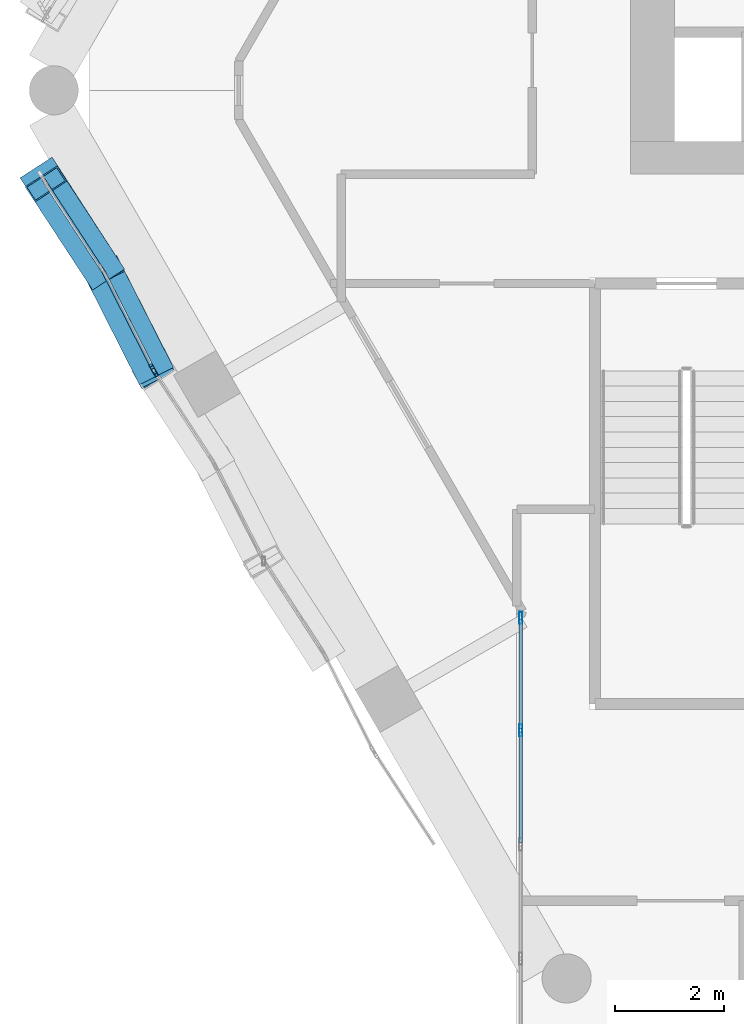
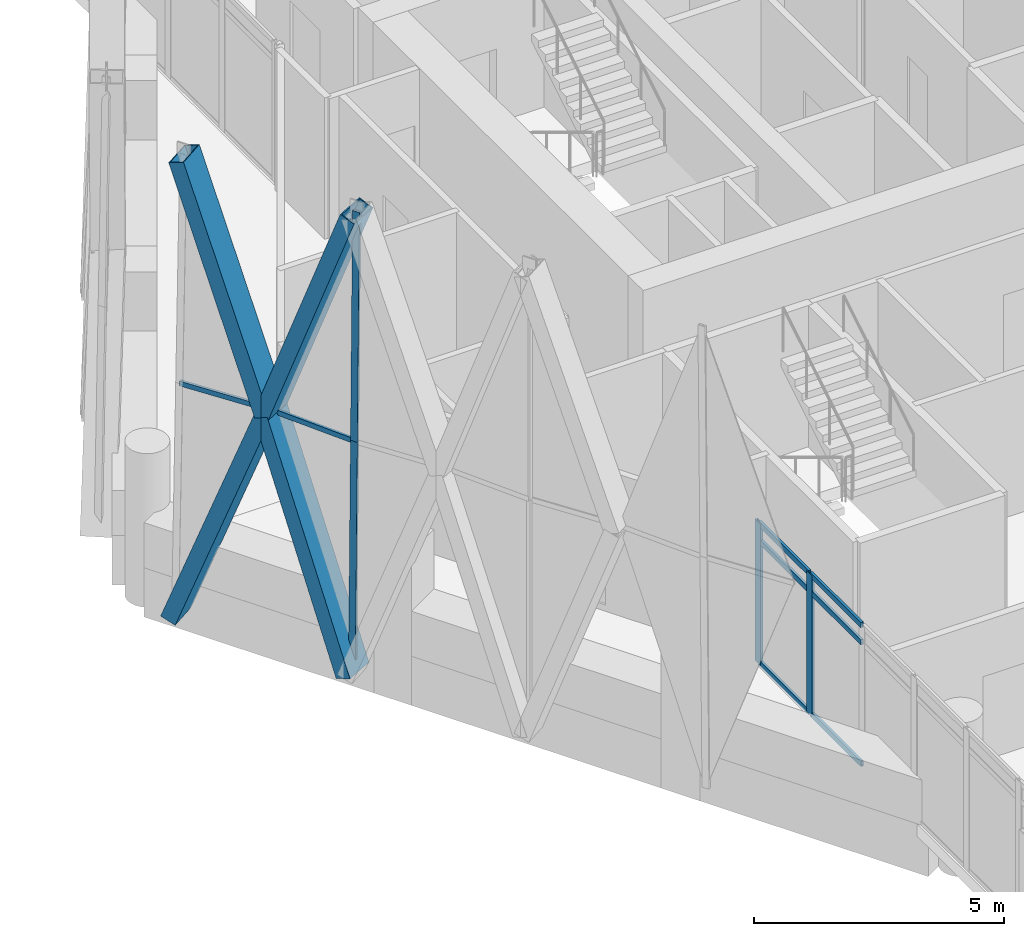
# One storey, part 11 of 37: 16 members, 3 elements without a shape of their own.
"""IFC4 building model written with IfcOpenShell, lengths in metres."""

from ifc_helpers import new_model, si_unit, direction, frame, origin, origin_2d, place, context, subcontext, project, spatial, hollow_rectangle, extrude, material, material_profile, profile_set, type_object, element, aggregate, save


model = new_model("IFC4")

# Units and contexts
model_context = context("Model", 3, precision=1e-05, world=origin(), true_north=direction((0.0, 1.0)))
body_context = subcontext(model_context, "Body", "Model", "MODEL_VIEW")
ifc_project = project(units=[si_unit("LENGTHUNIT", "METRE"), si_unit("AREAUNIT", "SQUARE_METRE"), si_unit("VOLUMEUNIT", "CUBIC_METRE"), si_unit("PLANEANGLEUNIT", "RADIAN"), si_unit("MASSUNIT", "GRAM", prefix="KILO")], contexts=[model_context])

# Site, building, storey
site_placement = place(None, origin())
site = spatial("IfcSite", under=ifc_project, at=site_placement, CompositionType="ELEMENT")
building_placement = place(site_placement, origin())
building = spatial("IfcBuilding", under=site, at=building_placement, Name="Ostrander Bayou Hotel Tower", CompositionType="ELEMENT")
storey_placement = place(building_placement, frame((0.0, 0.0, 225.75)))
storey = spatial("IfcBuildingStorey", under=building, at=storey_placement, Name="L56", CompositionType="ELEMENT", Elevation=225.75)

# Curtain wall, members
ifc_material_1 = material(Name="Aluminium and clear glass", Category="aluminium")
curtain_wall_type_1 = type_object("IfcCurtainWallType", Name="CW-BAR glazed wall", PredefinedType="NOTDEFINED", material=ifc_material_1)
curtain_wall_1_placement = place(storey_placement, origin())
curtain_wall_1 = element("IfcCurtainWall", 1, at=curtain_wall_1_placement, inside=storey, type_object=curtain_wall_type_1, Name="CW-BAR L56:SB5S:E", PredefinedType="NOTDEFINED")
ifc_material_2 = material(Name="Aluminium", Category="aluminium")
ifc_material_profile_1 = material_profile(ifc_material_2, hollow_rectangle(XDim=0.06005859375, YDim=0.219970703125, WallThickness=0.00390625, at=origin_2d()))
ifc_profile_set_1 = profile_set([ifc_material_profile_1], Name="Aluminium")
member_type_1 = type_object("IfcMemberType", Name="CW-BR mullion 60 x 220 mm", PredefinedType="MULLION", material=ifc_profile_set_1)
member_1_placement = place(storey_placement, frame((-10.51220703125, -9.822265625, 0.0), z_axis=(0.0, 0.0, 1.0), x_axis=(1.0, 0.0, 0.0)))
member_1 = element("IfcMember", 2, at=member_1_placement, type_object=member_type_1, Name="CW-BAR mullion 1", PredefinedType="MULLION", context=body_context, shape_type="SweptSolid", body=[
    extrude(hollow_rectangle(XDim=0.06005859375, YDim=0.219970703125, WallThickness=0.00390625, at=origin_2d()), origin(), (0.0, 0.0, 1.0), 3.449951171875),
])
member_2_placement = place(storey_placement, frame((-10.51220703125, -11.88232421875, 0.0), z_axis=(0.0, 0.0, 1.0), x_axis=(1.0, 0.0, 0.0)))
member_2 = element("IfcMember", 3, at=member_2_placement, type_object=member_type_1, Name="CW-BAR mullion 2", PredefinedType="MULLION", context=body_context, shape_type="SweptSolid", body=[
    extrude(hollow_rectangle(XDim=0.06005859375, YDim=0.219970703125, WallThickness=0.00390625, at=origin_2d()), origin(), (0.0, 0.0, 1.0), 3.449951171875),
])
ifc_material_3 = material(Name="Aluminium", Category="aluminium")
ifc_material_profile_2 = material_profile(ifc_material_3, hollow_rectangle(XDim=0.06005859375, YDim=0.1298828125, WallThickness=0.00390625, at=origin_2d()))
ifc_profile_set_2 = profile_set([ifc_material_profile_2], Name="Aluminium")
member_type_2 = type_object("IfcMemberType", Name="CW-BR transom 60 x 130 mm", PredefinedType="USERDEFINED", material=ifc_profile_set_2)
member_3_placement = place(storey_placement, frame((-10.51220703125, -9.852294921875, 0.030029296875), z_axis=(0.0, -1.0, 0.0), x_axis=(1.0, 0.0, 0.0)))
member_3 = element("IfcMember", 4, at=member_3_placement, type_object=member_type_2, Name="CW-BAR transom 1.1", ObjectType="TRANSOM", PredefinedType="USERDEFINED", context=body_context, shape_type="SweptSolid", body=[
    extrude(hollow_rectangle(XDim=0.06005859375, YDim=0.1298828125, WallThickness=0.00390625, at=origin_2d()), origin(), (0.0, 0.0, 1.0), 2.0),
])
member_4_placement = place(storey_placement, frame((-10.51220703125, -9.852294921875, 3.0), z_axis=(0.0, -1.0, 0.0), x_axis=(1.0, 0.0, 0.0)))
member_4 = element("IfcMember", 5, at=member_4_placement, type_object=member_type_2, Name="CW-BAR transom 1.2", ObjectType="TRANSOM", PredefinedType="USERDEFINED", context=body_context, shape_type="SweptSolid", body=[
    extrude(hollow_rectangle(XDim=0.06005859375, YDim=0.1298828125, WallThickness=0.00390625, at=origin_2d()), origin(), (0.0, 0.0, 1.0), 2.0),
])
member_5_placement = place(storey_placement, frame((-10.51220703125, -9.852294921875, 3.419921875), z_axis=(0.0, -1.0, 0.0), x_axis=(1.0, 0.0, 0.0)))
member_5 = element("IfcMember", 6, at=member_5_placement, type_object=member_type_2, Name="CW-BAR transom 1.3", ObjectType="TRANSOM", PredefinedType="USERDEFINED", context=body_context, shape_type="SweptSolid", body=[
    extrude(hollow_rectangle(XDim=0.06005859375, YDim=0.1298828125, WallThickness=0.00390625, at=origin_2d()), origin(), (0.0, 0.0, 1.0), 2.0),
])
member_6_placement = place(storey_placement, frame((-10.51220703125, -11.912353515625, 0.030029296875), z_axis=(0.0, -1.0, 0.0), x_axis=(1.0, 0.0, 0.0)))
member_6 = element("IfcMember", 7, at=member_6_placement, type_object=member_type_2, Name="CW-BAR transom 2.1", ObjectType="TRANSOM", PredefinedType="USERDEFINED", context=body_context, shape_type="SweptSolid", body=[
    extrude(hollow_rectangle(XDim=0.06005859375, YDim=0.1298828125, WallThickness=0.00390625, at=origin_2d()), origin(), (0.0, 0.0, 1.0), 2.030029296875),
])
member_7_placement = place(storey_placement, frame((-10.51220703125, -11.912353515625, 3.0), z_axis=(0.0, -1.0, 0.0), x_axis=(1.0, 0.0, 0.0)))
member_7 = element("IfcMember", 8, at=member_7_placement, type_object=member_type_2, Name="CW-BAR transom 2.2", ObjectType="TRANSOM", PredefinedType="USERDEFINED", context=body_context, shape_type="SweptSolid", body=[
    extrude(hollow_rectangle(XDim=0.06005859375, YDim=0.1298828125, WallThickness=0.00390625, at=origin_2d()), origin(), (0.0, 0.0, 1.0), 2.030029296875),
])
member_8_placement = place(storey_placement, frame((-10.51220703125, -11.912353515625, 3.419921875), z_axis=(0.0, -1.0, 0.0), x_axis=(1.0, 0.0, 0.0)))
member_8 = element("IfcMember", 9, at=member_8_placement, type_object=member_type_2, Name="CW-BAR transom 2.3", ObjectType="TRANSOM", PredefinedType="USERDEFINED", context=body_context, shape_type="SweptSolid", body=[
    extrude(hollow_rectangle(XDim=0.06005859375, YDim=0.1298828125, WallThickness=0.00390625, at=origin_2d()), origin(), (0.0, 0.0, 1.0), 2.030029296875),
])
aggregate(curtain_wall_1, [member_1, member_2, member_3, member_4, member_5, member_6, member_7, member_8])

ifc_material_4 = material(Name="Aluminium and clear glass", Category="aluminium")
curtain_wall_type_2 = type_object("IfcCurtainWallType", Name="CW-LAT lattice glazing", PredefinedType="NOTDEFINED", material=ifc_material_4)
curtain_wall_2_placement = place(storey_placement, origin())
curtain_wall_2 = element("IfcCurtainWall", 10, at=curtain_wall_2_placement, inside=storey, type_object=curtain_wall_type_2, Name="CW-LAT L56 SW 1", PredefinedType="NOTDEFINED")
ifc_material_5 = material(Name="Aluminium", Category="aluminium")
ifc_material_profile_3 = material_profile(ifc_material_5, hollow_rectangle(XDim=0.06005859375, YDim=0.159912109375, WallThickness=0.00390625, at=origin_2d()))
ifc_profile_set_3 = profile_set([ifc_material_profile_3], Name="Aluminium")
member_type_3 = type_object("IfcMemberType", Name="CW-LA mullion 60 x 160 mm", PredefinedType="MULLION", material=ifc_profile_set_3)
member_9_placement = place(storey_placement, frame((-17.257080078125, -5.25, -0.60009765625), z_axis=(0.00420992022, -0.007291408216, 0.999964555341), x_axis=(0.866013897511, 0.50001992892, 0.0)))
member_9 = element("IfcMember", 11, at=member_9_placement, type_object=member_type_3, Name="CW-LAT mullion 4", PredefinedType="MULLION", context=body_context, shape_type="SweptSolid", body=[
    extrude(hollow_rectangle(XDim=0.06005859375, YDim=0.159912109375, WallThickness=0.00390625, at=origin_2d()), origin(), (0.0, 0.0, 1.0), 5.625244140625),
])
member_10_placement = place(storey_placement, frame((-17.2333984375, -5.291015625, 5.02490234375), z_axis=(0.004209921548, -0.007248009263, 0.999964870844), x_axis=(0.864716406097, 0.502260427494, 0.0)))
member_10 = element("IfcMember", 12, at=member_10_placement, type_object=member_type_3, Name="CW-LAT mullion 5", PredefinedType="MULLION", context=body_context, shape_type="SweptSolid", body=[
    extrude(hollow_rectangle(XDim=0.06005859375, YDim=0.159912109375, WallThickness=0.00390625, at=origin_2d()), origin(), (0.0, 0.0, 1.0), 5.625244140625),
])
aggregate(curtain_wall_2, [member_9, member_10])

curtain_wall_3_placement = place(storey_placement, origin())
curtain_wall_3 = element("IfcCurtainWall", 13, at=curtain_wall_3_placement, inside=storey, type_object=curtain_wall_type_2, Name="CW-LAT L56 SW 2", PredefinedType="NOTDEFINED")
ifc_material_6 = material(Name="Aluminium", Category="aluminium")
ifc_material_profile_4 = material_profile(ifc_material_6, hollow_rectangle(XDim=0.06005859375, YDim=0.1201171875, WallThickness=0.00390625, at=origin_2d()))
ifc_profile_set_4 = profile_set([ifc_material_profile_4], Name="Aluminium")
member_type_4 = type_object("IfcMemberType", Name="CW-LA transom 60 x 120 mm", PredefinedType="USERDEFINED", material=ifc_profile_set_4)
member_11_placement = place(storey_placement, frame((-19.25048828125, -1.797119140625, 5.02490234375), z_axis=(0.545124295776, -0.838355236254, 0.0), x_axis=(0.838355236254, 0.545124295776, 0.0)))
member_11 = element("IfcMember", 14, at=member_11_placement, type_object=member_type_4, Name="CW-LAT transom 3", ObjectType="TRANSOM", PredefinedType="USERDEFINED", context=body_context, shape_type="SweptSolid", body=[
    extrude(hollow_rectangle(XDim=0.06005859375, YDim=0.1201171875, WallThickness=0.00390625, at=origin_2d()), origin(), (0.0, 0.0, 1.0), 2.019775390625),
])
member_12_placement = place(storey_placement, frame((-17.2333984375, -5.291015625, 5.02490234375), z_axis=(-0.45343871684, 0.891287456475, 0.0), x_axis=(-0.891287456475, -0.45343871684, 0.0)))
member_12 = element("IfcMember", 15, at=member_12_placement, type_object=member_type_4, Name="CW-LAT transom 6", ObjectType="TRANSOM", PredefinedType="USERDEFINED", context=body_context, shape_type="SweptSolid", body=[
    extrude(hollow_rectangle(XDim=0.06005859375, YDim=0.1201171875, WallThickness=0.00390625, at=origin_2d()), origin(), (0.0, 0.0, 1.0), 2.020263671875),
])
aggregate(curtain_wall_3, [member_11, member_12])

# Members
ifc_material_7 = material(Name="Steel ASTM A572 Gr 50", Category="steel")
ifc_material_profile_5 = material_profile(ifc_material_7, hollow_rectangle(XDim=0.699951171875, YDim=0.35009765625, WallThickness=0.02490234375, at=origin_2d()))
ifc_profile_set_5 = profile_set([ifc_material_profile_5], Name="Steel ASTM A572 Gr 50")
member_type_5 = type_object("IfcMemberType", Name="LT1 lattice member box 700 x 350 x 25 mm", PredefinedType="BRACE", material=ifc_profile_set_5)
member_13_placement = place(storey_placement, frame((-18.1494140625, -3.490478515625, 5.02490234375), z_axis=(-0.191110402363, 0.295441081203, -0.936050950347), x_axis=(-0.839644495981, -0.543136373638, 0.0)))
element("IfcMember", 16, at=member_13_placement, inside=storey, type_object=member_type_5, Name="LT1 L56 SW 1", PredefinedType="BRACE", context=body_context, shape_type="SweptSolid", body=[
    extrude(hollow_rectangle(XDim=0.699951171875, YDim=0.35009765625, WallThickness=0.02490234375, at=origin_2d()), origin(), (0.0, 0.0, 1.0), 6.00927734375),
])
member_14_placement = place(storey_placement, frame((-18.1494140625, -3.490478515625, 5.02490234375), z_axis=(-0.177270276133, 0.271058858641, 0.946098485546), x_axis=(-0.836913771264, -0.547334759968, 0.0)))
element("IfcMember", 17, at=member_14_placement, inside=storey, type_object=member_type_5, Name="LT1 L56 SW 2", PredefinedType="BRACE", context=body_context, shape_type="SweptSolid", body=[
    extrude(hollow_rectangle(XDim=0.699951171875, YDim=0.35009765625, WallThickness=0.02490234375, at=origin_2d()), origin(), (0.0, 0.0, 1.0), 5.945556640625),
])
member_15_placement = place(storey_placement, frame((-18.1494140625, -3.490478515625, 5.02490234375), z_axis=(0.14969686757, -0.295175191404, -0.943643181621), x_axis=(0.89186341759, 0.452304813555, 0.0)))
element("IfcMember", 18, at=member_15_placement, inside=storey, type_object=member_type_5, Name="LT1 L56 SW 3", PredefinedType="BRACE", context=body_context, shape_type="SweptSolid", body=[
    extrude(hollow_rectangle(XDim=0.699951171875, YDim=0.35009765625, WallThickness=0.02490234375, at=origin_2d()), origin(), (0.0, 0.0, 1.0), 5.9609375),
])
member_16_placement = place(storey_placement, frame((-18.1494140625, -3.490478515625, 5.02490234375), z_axis=(0.156803456144, -0.307251666987, 0.938620844258), x_axis=(0.890712103026, 0.454567871194, 0.0)))
element("IfcMember", 19, at=member_16_placement, inside=storey, type_object=member_type_5, Name="LT1 L56 SW 4", PredefinedType="BRACE", context=body_context, shape_type="SweptSolid", body=[
    extrude(hollow_rectangle(XDim=0.699951171875, YDim=0.35009765625, WallThickness=0.02490234375, at=origin_2d()), origin(), (0.0, 0.0, 1.0), 5.992919921875),
])

save(model, "model.ifc")
